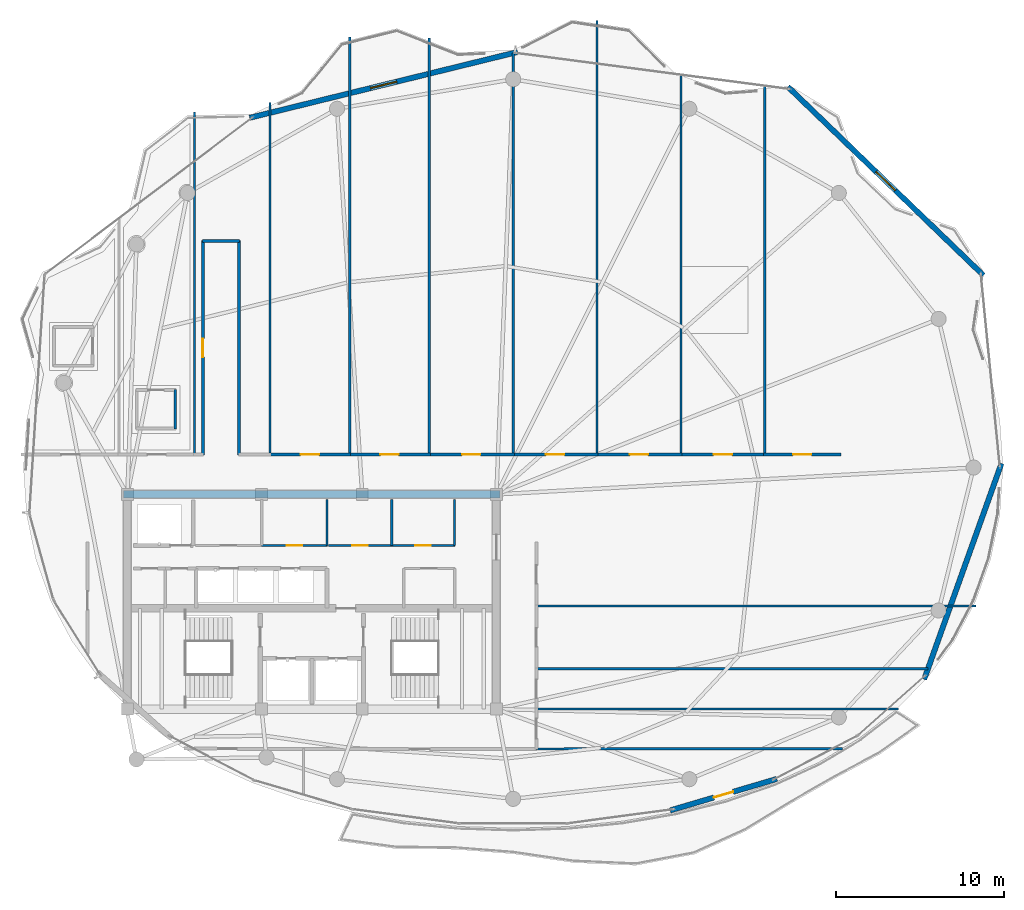
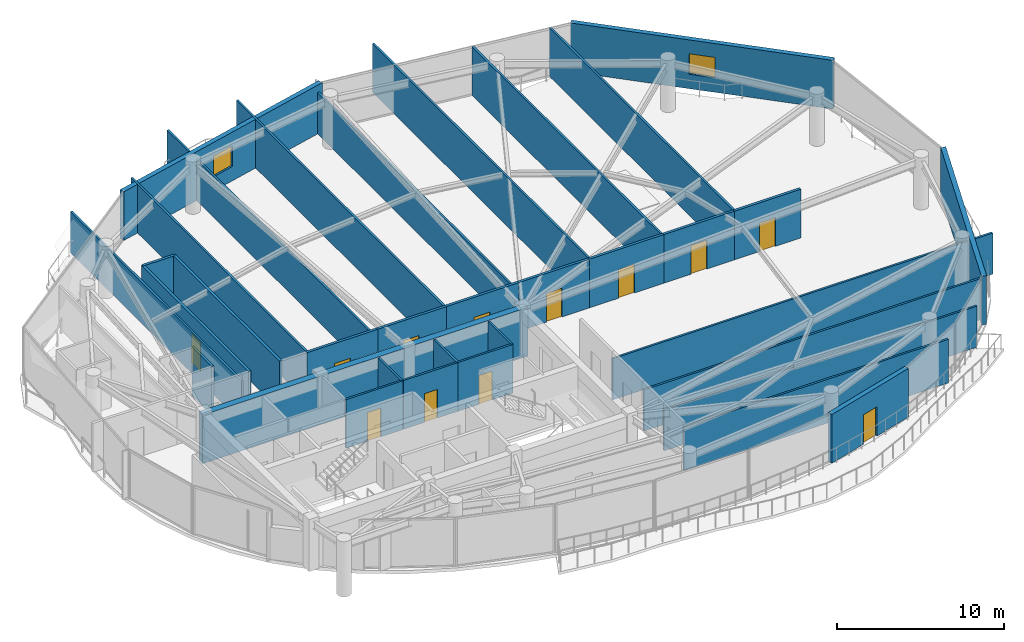
# One storey, part 26 of 30: 34 walls, 12 doors, 2 windows, 14 openings.
"""IFC4 building model written with IfcOpenShell, lengths in metres."""

from ifc_helpers import new_model, si_unit, direction, frame, frame_2d, origin, place, context, subcontext, project, spatial, rectangle, extrude, material, layer, layer_set, type_object, element, fill, save


model = new_model("IFC4")

# Units and contexts
model_context = context("Model", 3, precision=1e-05, world=origin(), true_north=direction((0.0, 1.0)))
body_context = subcontext(model_context, "Body", "Model", "MODEL_VIEW")
ifc_project = project(units=[si_unit("LENGTHUNIT", "METRE"), si_unit("AREAUNIT", "SQUARE_METRE"), si_unit("VOLUMEUNIT", "CUBIC_METRE"), si_unit("PLANEANGLEUNIT", "RADIAN"), si_unit("MASSUNIT", "GRAM", prefix="KILO")], contexts=[model_context])

# Site, building, storey
site_placement = place(None, origin())
site = spatial("IfcSite", under=ifc_project, at=site_placement, CompositionType="ELEMENT")
building_placement = place(site_placement, origin())
building = spatial("IfcBuilding", under=site, at=building_placement, Name="Kazevale Care Tower and Concert Hall", CompositionType="ELEMENT")
storey_placement = place(building_placement, frame((0.0, 0.0, 258.60009765625)))
storey = spatial("IfcBuildingStorey", under=building, at=storey_placement, Name="L68", CompositionType="ELEMENT", Elevation=258.60009765625)

# Wall, opening, door
ifc_material_1 = material(Name="Acoustic Gypsum on Steel Stud", Category="steel")
ifc_layer_1 = layer(ifc_material_1, 0.139892578125)
ifc_layer_set_1 = layer_set([ifc_layer_1], Name="Acoustic Gypsum on Steel Stud")
wall_type_1 = type_object("IfcWallType", Name="Acoustic Care & Suite Partition 140", PredefinedType="PARTITIONING", material=ifc_layer_set_1)
wall_1_placement = place(storey_placement, frame((30.0, 33.35009765625, 0.0), z_axis=(0.0, 0.0, 1.0), x_axis=(1.0, 0.0, 0.0)))
wall_1 = element("IfcWall", 1, at=wall_1_placement, inside=storey, type_object=wall_type_1, Name="wall:L68:c_rpl2_s", PredefinedType="PARTITIONING", context=body_context, shape_type="SweptSolid", body=[
    extrude(rectangle(XDim=3.919921875, YDim=0.139892578125, at=frame_2d((1.9599609375, 0.0))), origin(), (0.0, 0.0, 1.0), 3.559814453125),
])
opening_1_placement = place(wall_1_placement, frame((1.5, 0.0, 0.0)))
opening_1 = element("IfcOpeningElement", 2, at=opening_1_placement, cuts=wall_1, Name="Opening ID-900", PredefinedType="OPENING", context=body_context, shape_type="SweptSolid", body=[
    extrude(rectangle(XDim=0.919921875, YDim=2.10009765625, at=frame_2d((0.4599609375, 1.050048828125))), frame((0.0, 0.079833984375, 0.0), z_axis=(0.0, -1.0, 0.0), x_axis=(1.0, 0.0, 0.0)), (0.0, 0.0, 1.0), 0.159912109375),
])
ifc_material_2 = material(Name="Oak Timber Fire Leaf", Category="wood")
door_type_1 = type_object("IfcDoorType", Name="Bathroom & Service Door 920x2100", OperationType="NOTDEFINED", PredefinedType="DOOR", material=ifc_material_2)
door_1_placement = place(opening_1_placement, origin())
door_1 = element("IfcDoor", 3, at=door_1_placement, inside=storey, type_object=door_type_1, Name="door:L68:d_rpl2", OperationType="SINGLE_SWING_RIGHT", OverallHeight=2.10009765625, OverallWidth=0.919921875, PredefinedType="DOOR", context=body_context, shape_type="SweptSolid", body=[
    extrude(rectangle(XDim=0.919921875, YDim=2.10009765625, at=frame_2d((0.4599609375, 1.050048828125))), frame((0.0, 0.02490234375, 0.0), z_axis=(0.0, -1.0, 0.0), x_axis=(1.0, 0.0, 0.0)), (0.0, 0.0, 1.0), 0.050048828125),
])
fill(opening_1, door_1)

# Wall
wall_2_placement = place(storey_placement, frame((33.89990234375, 33.35009765625, 0.0), z_axis=(0.0, 0.0, 1.0), x_axis=(0.0, 1.0, 0.0)))
element("IfcWall", 4, at=wall_2_placement, inside=storey, type_object=wall_type_1, Name="wall:L68:c_rpl_e", PredefinedType="PARTITIONING", context=body_context, shape_type="SweptSolid", body=[
    extrude(rectangle(XDim=2.75, YDim=0.139892578125, at=frame_2d((1.375, 0.0))), origin(), (0.0, 0.0, 1.0), 3.559814453125),
])

# Wall, opening, door
wall_3_placement = place(storey_placement, frame((33.97998046875, 33.35009765625, 0.0), z_axis=(0.0, 0.0, 1.0), x_axis=(1.0, 0.0, 0.0)))
wall_3 = element("IfcWall", 5, at=wall_3_placement, inside=storey, type_object=wall_type_1, Name="wall:L68:c_rpm1_s", PredefinedType="PARTITIONING", context=body_context, shape_type="SweptSolid", body=[
    extrude(rectangle(XDim=3.77001953125, YDim=0.139892578125, at=frame_2d((1.885009765625, 0.0))), origin(), (0.0, 0.0, 1.0), 3.559814453125),
])
opening_2_placement = place(wall_3_placement, frame((1.425048828125, 0.0, 0.0)))
opening_2 = element("IfcOpeningElement", 6, at=opening_2_placement, cuts=wall_3, Name="Opening ID-900", PredefinedType="OPENING", context=body_context, shape_type="SweptSolid", body=[
    extrude(rectangle(XDim=0.919921875, YDim=2.10009765625, at=frame_2d((0.4599609375, 1.050048828125))), frame((0.0, 0.079833984375, 0.0), z_axis=(0.0, -1.0, 0.0), x_axis=(1.0, 0.0, 0.0)), (0.0, 0.0, 1.0), 0.159912109375),
])
door_2_placement = place(opening_2_placement, origin())
door_2 = element("IfcDoor", 7, at=door_2_placement, inside=storey, type_object=door_type_1, Name="door:L68:d_rpm1", OperationType="SINGLE_SWING_LEFT", OverallHeight=2.10009765625, OverallWidth=0.919921875, PredefinedType="DOOR", context=body_context, shape_type="SweptSolid", body=[
    extrude(rectangle(XDim=0.919921875, YDim=2.10009765625, at=frame_2d((0.4599609375, 1.050048828125))), frame((0.0, 0.02490234375, 0.0), z_axis=(0.0, -1.0, 0.0), x_axis=(1.0, 0.0, 0.0)), (0.0, 0.0, 1.0), 0.050048828125),
])
fill(opening_2, door_2)

wall_4_placement = place(storey_placement, frame((37.75, 33.35009765625, 0.0), z_axis=(0.0, 0.0, 1.0), x_axis=(1.0, 0.0, 0.0)))
wall_4 = element("IfcWall", 8, at=wall_4_placement, inside=storey, type_object=wall_type_1, Name="wall:L68:c_rpm2_s", PredefinedType="PARTITIONING", context=body_context, shape_type="SweptSolid", body=[
    extrude(rectangle(XDim=3.77001953125, YDim=0.139892578125, at=frame_2d((1.885009765625, 0.0))), origin(), (0.0, 0.0, 1.0), 3.559814453125),
])
opening_3_placement = place(wall_4_placement, frame((1.425048828125, 0.0, 0.0)))
opening_3 = element("IfcOpeningElement", 9, at=opening_3_placement, cuts=wall_4, Name="Opening ID-900", PredefinedType="OPENING", context=body_context, shape_type="SweptSolid", body=[
    extrude(rectangle(XDim=0.919921875, YDim=2.10009765625, at=frame_2d((0.4599609375, 1.050048828125))), frame((0.0, 0.079833984375, 0.0), z_axis=(0.0, -1.0, 0.0), x_axis=(1.0, 0.0, 0.0)), (0.0, 0.0, 1.0), 0.159912109375),
])
door_3_placement = place(opening_3_placement, origin())
door_3 = element("IfcDoor", 10, at=door_3_placement, inside=storey, type_object=door_type_1, Name="door:L68:d_rpm2", OperationType="SINGLE_SWING_RIGHT", OverallHeight=2.10009765625, OverallWidth=0.919921875, PredefinedType="DOOR", context=body_context, shape_type="SweptSolid", body=[
    extrude(rectangle(XDim=0.919921875, YDim=2.10009765625, at=frame_2d((0.4599609375, 1.050048828125))), frame((0.0, 0.02490234375, 0.0), z_axis=(0.0, -1.0, 0.0), x_axis=(1.0, 0.0, 0.0)), (0.0, 0.0, 1.0), 0.050048828125),
])
fill(opening_3, door_3)

# Walls
for number, where, z_axis, x_axis, name in (
    (11, (37.75, 33.35009765625, 0.0), (0.0, 0.0, 1.0), (0.0, 1.0, 0.0), "wall:L68:c_rpm_m"),
    (12, (41.5, 33.35009765625, 0.0), (0.0, 0.0, 1.0), (0.0, 1.0, 0.0), "wall:L68:c_rpm_e"),
):
    element("IfcWall", number, at=place(storey_placement, frame(where, z_axis=z_axis, x_axis=x_axis)), inside=storey, type_object=wall_type_1, Name=name, PredefinedType="PARTITIONING", context=body_context, shape_type="SweptSolid", body=[
        extrude(rectangle(XDim=2.75, YDim=0.139892578125, at=frame_2d((1.375, 0.0))), origin(), (0.0, 0.0, 1.0), 3.559814453125),
    ])
wall_5_placement = place(storey_placement, frame((26.0, 59.201904296875, 0.0), z_axis=(0.0, 0.0, 1.0), x_axis=(0.0, -1.0, 0.0)))
element("IfcWall", 13, at=wall_5_placement, inside=storey, type_object=wall_type_1, Name="wall:L68:auto_023", PredefinedType="PARTITIONING", context=body_context, shape_type="SweptSolid", body=[
    extrude(rectangle(XDim=20.456787109375, YDim=0.139892578125, at=frame_2d((10.228515625, 0.0))), origin(), (0.0, 0.0, 1.0), 3.005859375),
])
wall_6_placement = place(storey_placement, frame((30.5, 59.751953125, 0.0), z_axis=(0.0, 0.0, 1.0), x_axis=(0.0, -1.0, 0.0)))
element("IfcWall", 14, at=wall_6_placement, inside=storey, type_object=wall_type_1, Name="wall:L68:auto_024", PredefinedType="PARTITIONING", context=body_context, shape_type="SweptSolid", body=[
    extrude(rectangle(XDim=21.0068359375, YDim=0.139892578125, at=frame_2d((10.50341796875, 0.0))), origin(), (0.0, 0.0, 1.0), 3.559814453125),
])
wall_7_placement = place(storey_placement, frame((35.25, 63.6708984375, 0.0), z_axis=(0.0, 0.0, 1.0), x_axis=(0.0, -1.0, 0.0)))
element("IfcWall", 15, at=wall_7_placement, inside=storey, type_object=wall_type_1, Name="wall:L68:auto_025", PredefinedType="PARTITIONING", context=body_context, shape_type="SweptSolid", body=[
    extrude(rectangle(XDim=24.92578125, YDim=0.139892578125, at=frame_2d((12.462890625, 0.0))), origin(), (0.0, 0.0, 1.0), 3.005859375),
])
wall_8_placement = place(storey_placement, frame((40.0, 63.60693359375, 0.0), z_axis=(0.0, 0.0, 1.0), x_axis=(0.0, -1.0, 0.0)))
element("IfcWall", 16, at=wall_8_placement, inside=storey, type_object=wall_type_1, Name="wall:L68:auto_026", PredefinedType="PARTITIONING", context=body_context, shape_type="SweptSolid", body=[
    extrude(rectangle(XDim=24.86181640625, YDim=0.139892578125, at=frame_2d((12.430908203125, 0.0))), origin(), (0.0, 0.0, 1.0), 3.559814453125),
])
wall_9_placement = place(storey_placement, frame((45.0, 62.699951171875, 0.0), z_axis=(0.0, 0.0, 1.0), x_axis=(0.0, -1.0, 0.0)))
element("IfcWall", 17, at=wall_9_placement, inside=storey, type_object=wall_type_1, Name="wall:L68:auto_027", PredefinedType="PARTITIONING", context=body_context, shape_type="SweptSolid", body=[
    extrude(rectangle(XDim=23.954833984375, YDim=0.139892578125, at=frame_2d((11.9775390625, 0.0))), origin(), (0.0, 0.0, 1.0), 3.005859375),
])
wall_10_placement = place(storey_placement, frame((50.0, 64.657958984375, 0.0), z_axis=(0.0, 0.0, 1.0), x_axis=(0.0, -1.0, 0.0)))
element("IfcWall", 18, at=wall_10_placement, inside=storey, type_object=wall_type_1, Name="wall:L68:auto_028", PredefinedType="PARTITIONING", context=body_context, shape_type="SweptSolid", body=[
    extrude(rectangle(XDim=25.912841796875, YDim=0.139892578125, at=frame_2d((12.95654296875, 0.0))), origin(), (0.0, 0.0, 1.0), 3.559814453125),
])
wall_11_placement = place(storey_placement, frame((55.0, 61.40087890625, 0.0), z_axis=(0.0, 0.0, 1.0), x_axis=(0.0, -1.0, 0.0)))
element("IfcWall", 19, at=wall_11_placement, inside=storey, type_object=wall_type_1, Name="wall:L68:auto_029", PredefinedType="PARTITIONING", context=body_context, shape_type="SweptSolid", body=[
    extrude(rectangle(XDim=22.65576171875, YDim=0.139892578125, at=frame_2d((11.327880859375, 0.0))), origin(), (0.0, 0.0, 1.0), 3.559814453125),
])
wall_12_placement = place(storey_placement, frame((60.0, 60.81298828125, 0.0), z_axis=(0.0, 0.0, 1.0), x_axis=(0.0, -1.0, 0.0)))
element("IfcWall", 20, at=wall_12_placement, inside=storey, type_object=wall_type_1, Name="wall:L68:auto_030", PredefinedType="PARTITIONING", context=body_context, shape_type="SweptSolid", body=[
    extrude(rectangle(XDim=22.06787109375, YDim=0.139892578125, at=frame_2d((11.033935546875, 0.0))), origin(), (0.0, 0.0, 1.0), 3.559814453125),
])
wall_13_placement = place(storey_placement, frame((46.344970703125, 23.610107421875, 0.0), z_axis=(0.0, 0.0, 1.0), x_axis=(1.0, 0.0, 0.0)))
element("IfcWall", 21, at=wall_13_placement, inside=storey, type_object=wall_type_1, Name="wall:L68:auto_031", PredefinedType="PARTITIONING", context=body_context, shape_type="SweptSolid", body=[
    extrude(rectangle(XDim=21.6240234375, YDim=0.139892578125, at=frame_2d((10.81201171875, 0.0))), origin(), (0.0, 0.0, 1.0), 3.005859375),
])
wall_14_placement = place(storey_placement, frame((64.62109375, 21.242919921875, 0.0), z_axis=(0.0, 0.0, 1.0), x_axis=(-0.999999524525, -0.000975166183, 0.0)))
element("IfcWall", 22, at=wall_14_placement, inside=storey, type_object=wall_type_1, Name="wall:L68:auto_032", PredefinedType="PARTITIONING", context=body_context, shape_type="SweptSolid", body=[
    extrude(rectangle(XDim=18.276123046875, YDim=0.139892578125, at=frame_2d((9.13818359375, 0.0))), origin(), (0.0, 0.0, 1.0), 3.19580078125),
])
wall_15_placement = place(storey_placement, frame((46.344970703125, 26.0, 0.0), z_axis=(0.0, 0.0, 1.0), x_axis=(1.0, 0.0, 0.0)))
element("IfcWall", 23, at=wall_15_placement, inside=storey, type_object=wall_type_1, Name="wall:L68:auto_033", PredefinedType="PARTITIONING", context=body_context, shape_type="SweptSolid", body=[
    extrude(rectangle(XDim=23.368896484375, YDim=0.139892578125, at=frame_2d((11.6845703125, 0.0))), origin(), (0.0, 0.0, 1.0), 3.005859375),
])
wall_16_placement = place(storey_placement, frame((46.344970703125, 29.75, 0.0), z_axis=(0.0, 0.0, 1.0), x_axis=(1.0, 0.0, 0.0)))
element("IfcWall", 24, at=wall_16_placement, inside=storey, type_object=wall_type_1, Name="wall:L68:auto_034", PredefinedType="PARTITIONING", context=body_context, shape_type="SweptSolid", body=[
    extrude(rectangle(XDim=26.251953125, YDim=0.139892578125, at=frame_2d((13.1259765625, 0.0))), origin(), (0.0, 0.0, 1.0), 3.005859375),
])
ifc_material_3 = material(Name="Concrete C50", Category="concrete")
ifc_layer_2 = layer(ifc_material_3, 0.449951171875)
ifc_layer_set_2 = layer_set([ifc_layer_2], Name="Concrete C50")
wall_type_2 = type_object("IfcWallType", Name="Core Shear Wall 450 C50", PredefinedType="SHEAR", material=ifc_layer_set_2)
wall_17_placement = place(storey_placement, frame((21.77490234375, 36.39990234375, 0.0), z_axis=(0.0, 0.0, 1.0), x_axis=(1.0, 0.0, 0.0)))
element("IfcWall", 25, at=wall_17_placement, inside=storey, type_object=wall_type_2, Name="wall:L68:core:N", PredefinedType="SHEAR", context=body_context, shape_type="SweptSolid", body=[
    extrude(rectangle(XDim=22.4501953125, YDim=0.449951171875, at=frame_2d((11.22509765625, 0.0))), origin(), (0.0, 0.0, 1.0), 3.559814453125),
])

# Wall, opening, door
ifc_material_4 = material(Name="Concrete C40 and Acoustic Gypsum", Category="concrete")
ifc_layer_3 = layer(ifc_material_4, 0.179931640625)
ifc_layer_set_3 = layer_set([ifc_layer_3], Name="Concrete C40 and Acoustic Gypsum")
wall_type_3 = type_object("IfcWallType", Name="Fire-Rated Corridor & Party Wall 180", PredefinedType="PARTITIONING", material=ifc_layer_set_3)
wall_18_placement = place(storey_placement, frame((26.5, 38.7451171875, 0.0), z_axis=(0.0, 0.0, 1.0), x_axis=(0.0, 1.0, 0.0)))
wall_18 = element("IfcWall", 26, at=wall_18_placement, inside=storey, type_object=wall_type_3, Name="wall:L68:auto_003", PredefinedType="PARTITIONING", context=body_context, shape_type="SweptSolid", body=[
    extrude(rectangle(XDim=12.784912109375, YDim=0.179931640625, at=frame_2d((6.392578125, 0.0))), origin(), (0.0, 0.0, 1.0), 3.559814453125),
])
opening_4_placement = place(wall_18_placement, frame((5.843017578125, 0.0, 0.0)))
opening_4 = element("IfcOpeningElement", 27, at=opening_4_placement, cuts=wall_18, Name="Opening ID-1100", PredefinedType="OPENING", context=body_context, shape_type="SweptSolid", body=[
    extrude(rectangle(XDim=1.10009765625, YDim=2.10009765625, at=frame_2d((0.550048828125, 1.050048828125))), frame((0.0, 0.099853515625, 0.0), z_axis=(0.0, -1.0, 0.0), x_axis=(1.0, 0.0, 0.0)), (0.0, 0.0, 1.0), 0.199951171875),
])
door_type_2 = type_object("IfcDoorType", Name="Care Bedroom Accessible Door 1100x2100", OperationType="NOTDEFINED", PredefinedType="DOOR", material=ifc_material_2)
door_4_placement = place(opening_4_placement, origin())
door_4 = element("IfcDoor", 28, at=door_4_placement, inside=storey, type_object=door_type_2, Name="door:L68:ad_003", OperationType="SINGLE_SWING_LEFT", OverallHeight=2.10009765625, OverallWidth=1.10009765625, PredefinedType="DOOR", context=body_context, shape_type="SweptSolid", body=[
    extrude(rectangle(XDim=1.10009765625, YDim=2.10009765625, at=frame_2d((0.550048828125, 1.050048828125))), frame((0.0, 0.02490234375, 0.0), z_axis=(0.0, -1.0, 0.0), x_axis=(1.0, 0.0, 0.0)), (0.0, 0.0, 1.0), 0.050048828125),
])
fill(opening_4, door_4)

# Walls
wall_19_placement = place(storey_placement, frame((28.64990234375, 51.530029296875, 0.0), z_axis=(0.0, 0.0, 1.0), x_axis=(0.0, -1.0, 0.0)))
element("IfcWall", 29, at=wall_19_placement, inside=storey, type_object=wall_type_3, Name="wall:L68:auto_004", PredefinedType="PARTITIONING", context=body_context, shape_type="SweptSolid", body=[
    extrude(rectangle(XDim=12.784912109375, YDim=0.179931640625, at=frame_2d((6.392578125, 0.0))), origin(), (0.0, 0.0, 1.0), 3.559814453125),
])
wall_20_placement = place(storey_placement, frame((26.469970703125, 51.5, 0.0), z_axis=(0.0, 0.0, 1.0), x_axis=(1.0, 0.0, 0.0)))
element("IfcWall", 30, at=wall_20_placement, inside=storey, type_object=wall_type_3, Name="wall:L68:auto_005", PredefinedType="PARTITIONING", context=body_context, shape_type="SweptSolid", body=[
    extrude(rectangle(XDim=2.2099609375, YDim=0.179931640625, at=frame_2d((1.10498046875, 0.0))), origin(), (0.0, 0.0, 1.0), 3.559814453125),
])

# Wall, opening, door
wall_21_placement = place(storey_placement, frame((30.43505859375, 38.77490234375, 0.0), z_axis=(0.0, 0.0, 1.0), x_axis=(1.0, 0.0, 0.0)))
wall_21 = element("IfcWall", 31, at=wall_21_placement, inside=storey, type_object=wall_type_3, Name="wall:L68:auto_008", PredefinedType="PARTITIONING", context=body_context, shape_type="SweptSolid", body=[
    extrude(rectangle(XDim=4.8798828125, YDim=0.179931640625, at=frame_2d((2.43994140625, 0.0))), origin(), (0.0, 0.0, 1.0), 3.559814453125),
])
opening_5_placement = place(wall_21_placement, frame((1.889892578125, 0.0, 0.0)))
opening_5 = element("IfcOpeningElement", 32, at=opening_5_placement, cuts=wall_21, Name="Opening ID-1100", PredefinedType="OPENING", context=body_context, shape_type="SweptSolid", body=[
    extrude(rectangle(XDim=1.10009765625, YDim=2.10009765625, at=frame_2d((0.550048828125, 1.050048828125))), frame((0.0, 0.099853515625, 0.0), z_axis=(0.0, -1.0, 0.0), x_axis=(1.0, 0.0, 0.0)), (0.0, 0.0, 1.0), 0.199951171875),
])
door_5_placement = place(opening_5_placement, origin())
door_5 = element("IfcDoor", 33, at=door_5_placement, inside=storey, type_object=door_type_2, Name="door:L68:ad_008", OperationType="SINGLE_SWING_LEFT", OverallHeight=2.10009765625, OverallWidth=1.10009765625, PredefinedType="DOOR", context=body_context, shape_type="SweptSolid", body=[
    extrude(rectangle(XDim=1.10009765625, YDim=2.10009765625, at=frame_2d((0.550048828125, 1.050048828125))), frame((0.0, 0.02490234375, 0.0), z_axis=(0.0, -1.0, 0.0), x_axis=(1.0, 0.0, 0.0)), (0.0, 0.0, 1.0), 0.050048828125),
])
fill(opening_5, door_5)

wall_22_placement = place(storey_placement, frame((35.18505859375, 38.77490234375, 0.0), z_axis=(0.0, 0.0, 1.0), x_axis=(1.0, 0.0, 0.0)))
wall_22 = element("IfcWall", 34, at=wall_22_placement, inside=storey, type_object=wall_type_3, Name="wall:L68:auto_009", PredefinedType="PARTITIONING", context=body_context, shape_type="SweptSolid", body=[
    extrude(rectangle(XDim=4.8798828125, YDim=0.179931640625, at=frame_2d((2.43994140625, 0.0))), origin(), (0.0, 0.0, 1.0), 3.559814453125),
])
opening_6_placement = place(wall_22_placement, frame((1.889892578125, 0.0, 0.0)))
opening_6 = element("IfcOpeningElement", 35, at=opening_6_placement, cuts=wall_22, Name="Opening ID-1100", PredefinedType="OPENING", context=body_context, shape_type="SweptSolid", body=[
    extrude(rectangle(XDim=1.10009765625, YDim=2.10009765625, at=frame_2d((0.550048828125, 1.050048828125))), frame((0.0, 0.099853515625, 0.0), z_axis=(0.0, -1.0, 0.0), x_axis=(1.0, 0.0, 0.0)), (0.0, 0.0, 1.0), 0.199951171875),
])
door_6_placement = place(opening_6_placement, origin())
door_6 = element("IfcDoor", 36, at=door_6_placement, inside=storey, type_object=door_type_2, Name="door:L68:ad_009", OperationType="SINGLE_SWING_LEFT", OverallHeight=2.10009765625, OverallWidth=1.10009765625, PredefinedType="DOOR", context=body_context, shape_type="SweptSolid", body=[
    extrude(rectangle(XDim=1.10009765625, YDim=2.10009765625, at=frame_2d((0.550048828125, 1.050048828125))), frame((0.0, 0.02490234375, 0.0), z_axis=(0.0, -1.0, 0.0), x_axis=(1.0, 0.0, 0.0)), (0.0, 0.0, 1.0), 0.050048828125),
])
fill(opening_6, door_6)

wall_23_placement = place(storey_placement, frame((39.93505859375, 38.77490234375, 0.0), z_axis=(0.0, 0.0, 1.0), x_axis=(1.0, 0.0, 0.0)))
wall_23 = element("IfcWall", 37, at=wall_23_placement, inside=storey, type_object=wall_type_3, Name="wall:L68:auto_010", PredefinedType="PARTITIONING", context=body_context, shape_type="SweptSolid", body=[
    extrude(rectangle(XDim=5.1298828125, YDim=0.179931640625, at=frame_2d((2.56494140625, 0.0))), origin(), (0.0, 0.0, 1.0), 3.559814453125),
])
opening_7_placement = place(wall_23_placement, frame((2.014892578125, 0.0, 0.0)))
opening_7 = element("IfcOpeningElement", 38, at=opening_7_placement, cuts=wall_23, Name="Opening ID-1100", PredefinedType="OPENING", context=body_context, shape_type="SweptSolid", body=[
    extrude(rectangle(XDim=1.10009765625, YDim=2.10009765625, at=frame_2d((0.550048828125, 1.050048828125))), frame((0.0, 0.099853515625, 0.0), z_axis=(0.0, -1.0, 0.0), x_axis=(1.0, 0.0, 0.0)), (0.0, 0.0, 1.0), 0.199951171875),
])
door_7_placement = place(opening_7_placement, origin())
door_7 = element("IfcDoor", 39, at=door_7_placement, inside=storey, type_object=door_type_2, Name="door:L68:ad_010", OperationType="SINGLE_SWING_LEFT", OverallHeight=2.10009765625, OverallWidth=1.10009765625, PredefinedType="DOOR", context=body_context, shape_type="SweptSolid", body=[
    extrude(rectangle(XDim=1.10009765625, YDim=2.10009765625, at=frame_2d((0.550048828125, 1.050048828125))), frame((0.0, 0.02490234375, 0.0), z_axis=(0.0, -1.0, 0.0), x_axis=(1.0, 0.0, 0.0)), (0.0, 0.0, 1.0), 0.050048828125),
])
fill(opening_7, door_7)

wall_24_placement = place(storey_placement, frame((44.93505859375, 38.77490234375, 0.0), z_axis=(0.0, 0.0, 1.0), x_axis=(1.0, 0.0, 0.0)))
wall_24 = element("IfcWall", 40, at=wall_24_placement, inside=storey, type_object=wall_type_3, Name="wall:L68:auto_011", PredefinedType="PARTITIONING", context=body_context, shape_type="SweptSolid", body=[
    extrude(rectangle(XDim=5.1298828125, YDim=0.179931640625, at=frame_2d((2.56494140625, 0.0))), origin(), (0.0, 0.0, 1.0), 3.559814453125),
])
opening_8_placement = place(wall_24_placement, frame((2.014892578125, 0.0, 0.0)))
opening_8 = element("IfcOpeningElement", 41, at=opening_8_placement, cuts=wall_24, Name="Opening ID-1100", PredefinedType="OPENING", context=body_context, shape_type="SweptSolid", body=[
    extrude(rectangle(XDim=1.10009765625, YDim=2.10009765625, at=frame_2d((0.550048828125, 1.050048828125))), frame((0.0, 0.099853515625, 0.0), z_axis=(0.0, -1.0, 0.0), x_axis=(1.0, 0.0, 0.0)), (0.0, 0.0, 1.0), 0.199951171875),
])
door_8_placement = place(opening_8_placement, origin())
door_8 = element("IfcDoor", 42, at=door_8_placement, inside=storey, type_object=door_type_2, Name="door:L68:ad_011", OperationType="SINGLE_SWING_LEFT", OverallHeight=2.10009765625, OverallWidth=1.10009765625, PredefinedType="DOOR", context=body_context, shape_type="SweptSolid", body=[
    extrude(rectangle(XDim=1.10009765625, YDim=2.10009765625, at=frame_2d((0.550048828125, 1.050048828125))), frame((0.0, 0.02490234375, 0.0), z_axis=(0.0, -1.0, 0.0), x_axis=(1.0, 0.0, 0.0)), (0.0, 0.0, 1.0), 0.050048828125),
])
fill(opening_8, door_8)

wall_25_placement = place(storey_placement, frame((49.93505859375, 38.77490234375, 0.0), z_axis=(0.0, 0.0, 1.0), x_axis=(1.0, 0.0, 0.0)))
wall_25 = element("IfcWall", 43, at=wall_25_placement, inside=storey, type_object=wall_type_3, Name="wall:L68:auto_012", PredefinedType="PARTITIONING", context=body_context, shape_type="SweptSolid", body=[
    extrude(rectangle(XDim=5.1298828125, YDim=0.179931640625, at=frame_2d((2.56494140625, 0.0))), origin(), (0.0, 0.0, 1.0), 3.559814453125),
])
opening_9_placement = place(wall_25_placement, frame((2.014892578125, 0.0, 0.0)))
opening_9 = element("IfcOpeningElement", 44, at=opening_9_placement, cuts=wall_25, Name="Opening ID-1100", PredefinedType="OPENING", context=body_context, shape_type="SweptSolid", body=[
    extrude(rectangle(XDim=1.10009765625, YDim=2.10009765625, at=frame_2d((0.550048828125, 1.050048828125))), frame((0.0, 0.099853515625, 0.0), z_axis=(0.0, -1.0, 0.0), x_axis=(1.0, 0.0, 0.0)), (0.0, 0.0, 1.0), 0.199951171875),
])
door_9_placement = place(opening_9_placement, origin())
door_9 = element("IfcDoor", 45, at=door_9_placement, inside=storey, type_object=door_type_2, Name="door:L68:ad_012", OperationType="SINGLE_SWING_LEFT", OverallHeight=2.10009765625, OverallWidth=1.10009765625, PredefinedType="DOOR", context=body_context, shape_type="SweptSolid", body=[
    extrude(rectangle(XDim=1.10009765625, YDim=2.10009765625, at=frame_2d((0.550048828125, 1.050048828125))), frame((0.0, 0.02490234375, 0.0), z_axis=(0.0, -1.0, 0.0), x_axis=(1.0, 0.0, 0.0)), (0.0, 0.0, 1.0), 0.050048828125),
])
fill(opening_9, door_9)

wall_26_placement = place(storey_placement, frame((54.93505859375, 38.77490234375, 0.0), z_axis=(0.0, 0.0, 1.0), x_axis=(1.0, 0.0, 0.0)))
wall_26 = element("IfcWall", 46, at=wall_26_placement, inside=storey, type_object=wall_type_3, Name="wall:L68:auto_013", PredefinedType="PARTITIONING", context=body_context, shape_type="SweptSolid", body=[
    extrude(rectangle(XDim=5.1298828125, YDim=0.179931640625, at=frame_2d((2.56494140625, 0.0))), origin(), (0.0, 0.0, 1.0), 3.559814453125),
])
opening_10_placement = place(wall_26_placement, frame((2.014892578125, 0.0, 0.0)))
opening_10 = element("IfcOpeningElement", 47, at=opening_10_placement, cuts=wall_26, Name="Opening ID-1100", PredefinedType="OPENING", context=body_context, shape_type="SweptSolid", body=[
    extrude(rectangle(XDim=1.10009765625, YDim=2.10009765625, at=frame_2d((0.550048828125, 1.050048828125))), frame((0.0, 0.099853515625, 0.0), z_axis=(0.0, -1.0, 0.0), x_axis=(1.0, 0.0, 0.0)), (0.0, 0.0, 1.0), 0.199951171875),
])
door_10_placement = place(opening_10_placement, origin())
door_10 = element("IfcDoor", 48, at=door_10_placement, inside=storey, type_object=door_type_2, Name="door:L68:ad_013", OperationType="SINGLE_SWING_LEFT", OverallHeight=2.10009765625, OverallWidth=1.10009765625, PredefinedType="DOOR", context=body_context, shape_type="SweptSolid", body=[
    extrude(rectangle(XDim=1.10009765625, YDim=2.10009765625, at=frame_2d((0.550048828125, 1.050048828125))), frame((0.0, 0.02490234375, 0.0), z_axis=(0.0, -1.0, 0.0), x_axis=(1.0, 0.0, 0.0)), (0.0, 0.0, 1.0), 0.050048828125),
])
fill(opening_10, door_10)

wall_27_placement = place(storey_placement, frame((59.93505859375, 38.77490234375, 0.0), z_axis=(0.0, 0.0, 1.0), x_axis=(1.0, 0.0, 0.0)))
wall_27 = element("IfcWall", 49, at=wall_27_placement, inside=storey, type_object=wall_type_3, Name="wall:L68:auto_014", PredefinedType="PARTITIONING", context=body_context, shape_type="SweptSolid", body=[
    extrude(rectangle(XDim=4.594970703125, YDim=0.179931640625, at=frame_2d((2.29736328125, 0.0))), origin(), (0.0, 0.0, 1.0), 3.559814453125),
])
opening_11_placement = place(wall_27_placement, frame((1.7470703125, 0.0, 0.0)))
opening_11 = element("IfcOpeningElement", 50, at=opening_11_placement, cuts=wall_27, Name="Opening ID-1100", PredefinedType="OPENING", context=body_context, shape_type="SweptSolid", body=[
    extrude(rectangle(XDim=1.10009765625, YDim=2.10009765625, at=frame_2d((0.550048828125, 1.050048828125))), frame((0.0, 0.099853515625, 0.0), z_axis=(0.0, -1.0, 0.0), x_axis=(1.0, 0.0, 0.0)), (0.0, 0.0, 1.0), 0.199951171875),
])
door_11_placement = place(opening_11_placement, origin())
door_11 = element("IfcDoor", 51, at=door_11_placement, inside=storey, type_object=door_type_2, Name="door:L68:ad_014", OperationType="SINGLE_SWING_LEFT", OverallHeight=2.10009765625, OverallWidth=1.10009765625, PredefinedType="DOOR", context=body_context, shape_type="SweptSolid", body=[
    extrude(rectangle(XDim=1.10009765625, YDim=2.10009765625, at=frame_2d((0.550048828125, 1.050048828125))), frame((0.0, 0.02490234375, 0.0), z_axis=(0.0, -1.0, 0.0), x_axis=(1.0, 0.0, 0.0)), (0.0, 0.0, 1.0), 0.050048828125),
])
fill(opening_11, door_11)

# Walls
ifc_layer_4 = layer(ifc_material_1, 0.159912109375)
ifc_layer_set_4 = layer_set([ifc_layer_4], Name="Acoustic Gypsum on Steel Stud")
wall_type_4 = type_object("IfcWallType", Name="Moisture-Resistant Bathroom Plumbing Wall 160", PredefinedType="PLUMBINGWALL", material=ifc_layer_set_4)
wall_28_placement = place(storey_placement, frame((24.85009765625, 40.284912109375, 0.0), z_axis=(0.0, 0.0, 1.0), x_axis=(0.0, 1.0, 0.0)))
element("IfcWall", 52, at=wall_28_placement, inside=storey, type_object=wall_type_4, Name="wall:L68:nb2a_ens_we", PredefinedType="PLUMBINGWALL", context=body_context, shape_type="SweptSolid", body=[
    extrude(rectangle(XDim=2.380126953125, YDim=0.159912109375, at=frame_2d((1.18994140625, 0.0))), origin(), (0.0, 0.0, 1.0), 3.559814453125),
])
ifc_material_5 = material(Name="Concrete C40 with Honed Limestone Cladding", Category="masonry")
ifc_layer_5 = layer(ifc_material_5, 0.320068359375)
ifc_layer_set_5 = layer_set([ifc_layer_5], Name="Concrete C40 with Honed Limestone Cladding")
wall_type_5 = type_object("IfcWallType", Name="Tower Honed Limestone Spandrel Wall 320", PredefinedType="STANDARD", material=ifc_layer_set_5)
wall_29_placement = place(storey_placement, frame((74.10791015625, 38.2451171875, 0.0), z_axis=(0.0, 0.0, 1.0), x_axis=(-0.337073777429, -0.941478235845, 0.0)))
element("IfcWall", 53, at=wall_29_placement, inside=storey, type_object=wall_type_5, Name="wall:cw:L68:f01", PredefinedType="STANDARD", context=body_context, shape_type="SweptSolid", body=[
    extrude(rectangle(XDim=13.67333984375, YDim=0.320068359375, at=frame_2d((6.836669921875, 0.0))), origin(), (0.0, 0.0, 1.0), 3.559814453125),
])

# Wall, opening, door
wall_30_placement = place(storey_placement, frame((60.718017578125, 19.43896484375, 0.0), z_axis=(0.0, 0.0, 1.0), x_axis=(-0.959026574291, -0.283316130503, 0.0)))
wall_30 = element("IfcWall", 54, at=wall_30_placement, inside=storey, type_object=wall_type_5, Name="wall:L68:bal_host", PredefinedType="STANDARD", context=body_context, shape_type="SweptSolid", body=[
    extrude(rectangle(XDim=6.6318359375, YDim=0.320068359375, at=frame_2d((3.31591796875, 0.0))), origin(), (0.0, 0.0, 1.0), 3.559814453125),
])
opening_12_placement = place(wall_30_placement, frame((2.716064453125, 0.0, 0.0)))
opening_12 = element("IfcOpeningElement", 55, at=opening_12_placement, cuts=wall_30, Name="Opening BD-1200", PredefinedType="OPENING", context=body_context, shape_type="SweptSolid", body=[
    extrude(rectangle(XDim=1.199951171875, YDim=2.14990234375, at=frame_2d((0.60009765625, 1.074951171875))), frame((0.0, 0.169921875, 0.0), z_axis=(0.0, -1.0, 0.0), x_axis=(1.0, 0.0, 0.0)), (0.0, 0.0, 1.0), 0.340087890625),
])
ifc_material_6 = material(Name="Aluminium 6063-T6 and Low-E Glass", Category="aluminium")
door_type_3 = type_object("IfcDoorType", Name="Sheltered Balcony Glazed Door 1200x2150", OperationType="NOTDEFINED", PredefinedType="DOOR", material=ifc_material_6)
door_12_placement = place(opening_12_placement, origin())
door_12 = element("IfcDoor", 56, at=door_12_placement, inside=storey, type_object=door_type_3, Name="door:L68:BD-1", OperationType="SINGLE_SWING_LEFT", OverallHeight=2.14990234375, OverallWidth=1.199951171875, PredefinedType="DOOR", context=body_context, shape_type="SweptSolid", body=[
    extrude(rectangle(XDim=1.199951171875, YDim=2.14990234375, at=frame_2d((0.60009765625, 1.074951171875))), frame((0.0, 0.02490234375, 0.0), z_axis=(0.0, -1.0, 0.0), x_axis=(1.0, 0.0, 0.0)), (0.0, 0.0, 1.0), 0.050048828125),
])
fill(opening_12, door_12)

# Wall, opening, window
wall_31_placement = place(storey_placement, frame((29.29296875, 58.85205078125, 0.0), z_axis=(0.0, 0.0, 1.0), x_axis=(0.971137749742, 0.238519330508, 0.0)))
wall_31 = element("IfcWall", 57, at=wall_31_placement, inside=storey, type_object=wall_type_5, Name="wall:L68:cbox:15", PredefinedType="STANDARD", context=body_context, shape_type="SweptSolid", body=[
    extrude(rectangle(XDim=16.442626953125, YDim=0.320068359375, at=frame_2d((8.22119140625, 0.0))), origin(), (0.0, 0.0, 1.0), 3.559814453125),
])
opening_13_placement = place(wall_31_placement, frame((7.4208984375, 0.0, 1.050048828125)))
opening_13 = element("IfcOpeningElement", 58, at=opening_13_placement, cuts=wall_31, Name="Opening WIN-1", PredefinedType="OPENING", context=body_context, shape_type="SweptSolid", body=[
    extrude(rectangle(XDim=1.60009765625, YDim=1.5, at=frame_2d((0.800048828125, 0.75))), frame((0.0, 0.169921875, 0.0), z_axis=(0.0, -1.0, 0.0), x_axis=(1.0, 0.0, 0.0)), (0.0, 0.0, 1.0), 0.340087890625),
])
ifc_material_7 = material(Name="Low-E Laminated Glass", Category="glass")
window_type = type_object("IfcWindowType", Name="Convex Box Deep-Set Window 1600x1500", PartitioningType="DOUBLE_PANEL_VERTICAL", PredefinedType="WINDOW", material=ifc_material_7)
window_1_placement = place(opening_13_placement, origin())
window_1 = element("IfcWindow", 59, at=window_1_placement, inside=storey, type_object=window_type, Name="win:L68:cbox:15", OverallHeight=1.5, OverallWidth=1.60009765625, PartitioningType="SINGLE_PANEL", PredefinedType="WINDOW", context=body_context, shape_type="SweptSolid", body=[
    extrude(rectangle(XDim=1.60009765625, YDim=1.5, at=frame_2d((0.800048828125, 0.75))), frame((0.0, 0.030029296875, 0.0), z_axis=(0.0, -1.0, 0.0), x_axis=(1.0, 0.0, 0.0)), (0.0, 0.0, 1.0), 0.06005859375),
])
fill(opening_13, window_1)

wall_32_placement = place(storey_placement, frame((61.37109375, 60.7041015625, 0.0), z_axis=(0.0, 0.0, 1.0), x_axis=(0.719819827488, -0.694160943842, 0.0)))
wall_32 = element("IfcWall", 60, at=wall_32_placement, inside=storey, type_object=wall_type_5, Name="wall:L68:cbox:17", PredefinedType="STANDARD", context=body_context, shape_type="SweptSolid", body=[
    extrude(rectangle(XDim=16.203857421875, YDim=0.320068359375, at=frame_2d((8.10205078125, 0.0))), origin(), (0.0, 0.0, 1.0), 3.559814453125),
])
opening_14_placement = place(wall_32_placement, frame((7.302001953125, 0.0, 1.050048828125)))
opening_14 = element("IfcOpeningElement", 61, at=opening_14_placement, cuts=wall_32, Name="Opening WIN-1", PredefinedType="OPENING", context=body_context, shape_type="SweptSolid", body=[
    extrude(rectangle(XDim=1.60009765625, YDim=1.5, at=frame_2d((0.800048828125, 0.75))), frame((0.0, 0.169921875, 0.0), z_axis=(0.0, -1.0, 0.0), x_axis=(1.0, 0.0, 0.0)), (0.0, 0.0, 1.0), 0.340087890625),
])
window_2_placement = place(opening_14_placement, origin())
window_2 = element("IfcWindow", 62, at=window_2_placement, inside=storey, type_object=window_type, Name="win:L68:cbox:17", OverallHeight=1.5, OverallWidth=1.60009765625, PartitioningType="SINGLE_PANEL", PredefinedType="WINDOW", context=body_context, shape_type="SweptSolid", body=[
    extrude(rectangle(XDim=1.60009765625, YDim=1.5, at=frame_2d((0.800048828125, 0.75))), frame((0.0, 0.030029296875, 0.0), z_axis=(0.0, -1.0, 0.0), x_axis=(1.0, 0.0, 0.0)), (0.0, 0.0, 1.0), 0.06005859375),
])
fill(opening_14, window_2)

save(model, "model.ifc")
